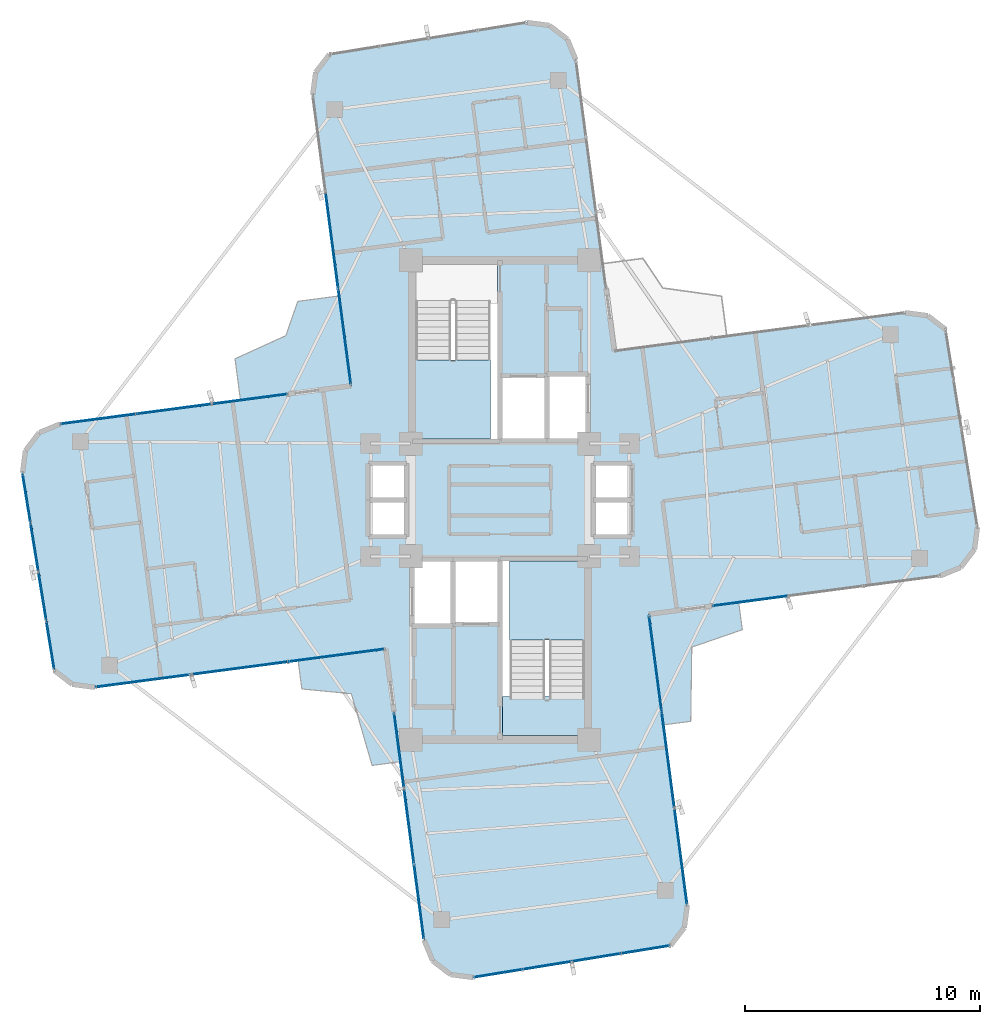
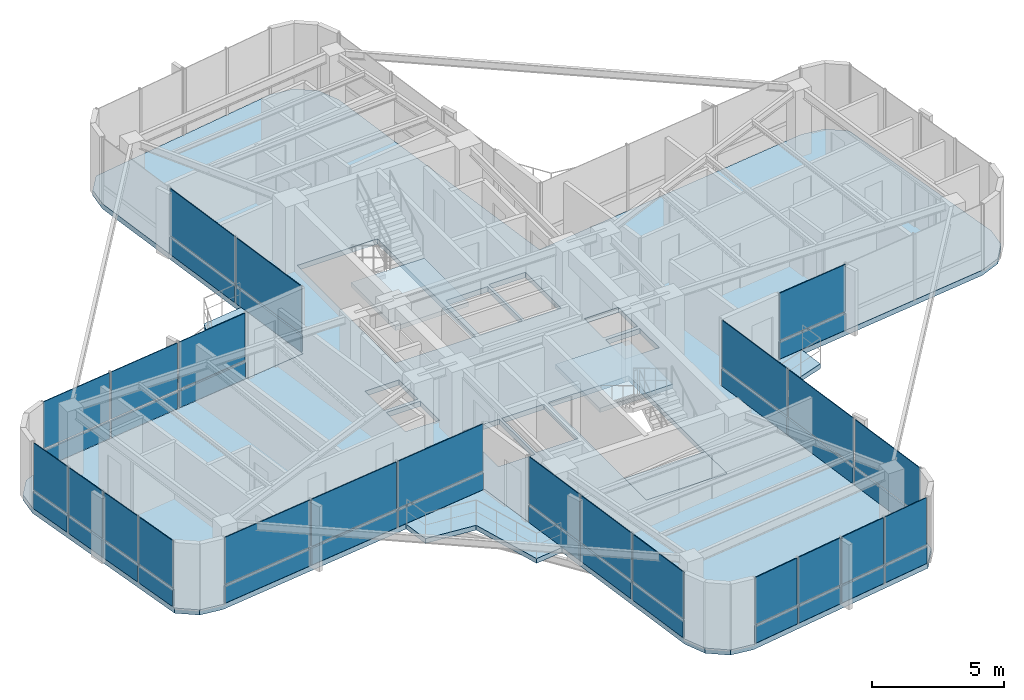
# One storey, part 16 of 21: 46 plates, 7 slabs, 10 elements without a shape of their own.
"""IFC4 building model written with IfcOpenShell, lengths in metres."""

from ifc_helpers import new_model, si_unit, direction, frame, origin, origin_2d, place, context, subcontext, project, spatial, polyline, rectangle, outline, extrude, source, transform, mapped, material, layer, layer_set, type_object, element, aggregate, save


model = new_model("IFC4")

# Units and contexts
model_context = context("Model", 3, precision=1e-05, world=origin(), true_north=direction((0.0, 1.0)))
body_context = subcontext(model_context, "Body", "Model", "MODEL_VIEW")
ifc_project = project(units=[si_unit("LENGTHUNIT", "METRE"), si_unit("AREAUNIT", "SQUARE_METRE"), si_unit("VOLUMEUNIT", "CUBIC_METRE"), si_unit("PLANEANGLEUNIT", "RADIAN"), si_unit("MASSUNIT", "GRAM", prefix="KILO")], contexts=[model_context])

# Site, building, storey
site_placement = place(None, origin())
site = spatial("IfcSite", under=ifc_project, at=site_placement, CompositionType="ELEMENT")
building_placement = place(site_placement, origin())
building = spatial("IfcBuilding", under=site, at=building_placement, Name="Sahyath Konkavel Grand Hotel", CompositionType="ELEMENT")
storey_placement = place(building_placement, frame((0.0, 0.0, 219.89990234375)))
storey = spatial("IfcBuildingStorey", under=building, at=storey_placement, Name="L61", CompositionType="ELEMENT", Elevation=219.89990234375)

# Slabs
ifc_material_1 = material(Name="Concrete C40/50", Category="concrete")
ifc_layer_1 = layer(ifc_material_1, 0.239990234375)
ifc_layer_set_1 = layer_set([ifc_layer_1], Name="Concrete C40/50")
slab_type_1 = type_object("IfcSlabType", Name="SLB-240", PredefinedType="FLOOR", material=ifc_layer_set_1)
slab_1_placement = place(storey_placement, frame((0.0, 0.0, -0.239990234375)))
element("IfcSlab", 1, at=slab_1_placement, inside=storey, type_object=slab_type_1, Name="L61 Structural Floor Slab", PredefinedType="FLOOR", context=body_context, shape_type="SweptSolid", body=[
    extrude(outline(polyline([(6.334716796875, -4.860595703125), (18.71875, -3.230224609375), (19.603515625, -2.864013671875), (20.1865234375, -2.10400390625), (20.3115234375, -1.15478515625), (18.9541015625, 7.257080078125), (18.1943359375, 7.840087890625), (17.244873046875, 7.965087890625), (4.860595703125, 6.334716796875), (3.230224609375, 18.71875), (2.864013671875, 19.603515625), (2.10400390625, 20.1865234375), (1.15478515625, 20.3115234375), (-7.257080078125, 18.9541015625), (-7.840087890625, 18.1943359375), (-7.965087890625, 17.244873046875), (-6.334716796875, 4.860595703125), (-18.71875, 3.230224609375), (-19.603515625, 2.864013671875), (-20.1865234375, 2.10400390625), (-20.3115234375, 1.15478515625), (-18.9541015625, -7.257080078125), (-18.1943359375, -7.840087890625), (-17.244873046875, -7.965087890625), (-4.860595703125, -6.334716796875), (-3.230224609375, -18.71875), (-2.864013671875, -19.603515625), (-2.10400390625, -20.1865234375), (-1.15478515625, -20.3115234375), (7.257080078125, -18.9541015625), (7.840087890625, -18.1943359375), (7.965087890625, -17.244873046875), (6.334716796875, -4.860595703125)]), holes=[polyline([(-3.6201171875, 2.580078125), (-0.10009765625, 2.580078125), (-0.10009765625, 10.02001953125), (-3.6201171875, 10.02001953125), (-3.6201171875, 2.580078125)]), polyline([(0.10009765625, -10.02001953125), (3.6201171875, -10.02001953125), (3.6201171875, -2.580078125), (0.10009765625, -2.580078125), (0.10009765625, -10.02001953125)]), polyline([(0.10009765625, 2.60009765625), (1.949951171875, 2.60009765625), (1.949951171875, 5.199951171875), (0.10009765625, 5.199951171875), (0.10009765625, 2.60009765625)]), polyline([(-1.949951171875, -5.199951171875), (-0.10009765625, -5.199951171875), (-0.10009765625, -2.60009765625), (-1.949951171875, -2.60009765625), (-1.949951171875, -5.199951171875)]), polyline([(2.050048828125, 2.60009765625), (3.64990234375, 2.60009765625), (3.64990234375, 5.300048828125), (2.050048828125, 5.300048828125), (2.050048828125, 2.60009765625)]), polyline([(-3.64990234375, -5.300048828125), (-2.050048828125, -5.300048828125), (-2.050048828125, -2.60009765625), (-3.64990234375, -2.60009765625), (-3.64990234375, -5.300048828125)]), polyline([(4.050048828125, 0.080078125), (5.550048828125, 0.080078125), (5.550048828125, 1.5400390625), (4.050048828125, 1.5400390625), (4.050048828125, 0.080078125)]), polyline([(4.050048828125, -1.5400390625), (5.550048828125, -1.5400390625), (5.550048828125, -0.080078125), (4.050048828125, -0.080078125), (4.050048828125, -1.5400390625)]), polyline([(-5.550048828125, 0.080078125), (-4.050048828125, 0.080078125), (-4.050048828125, 1.5400390625), (-5.550048828125, 1.5400390625), (-5.550048828125, 0.080078125)]), polyline([(-5.550048828125, -1.5400390625), (-4.050048828125, -1.5400390625), (-4.050048828125, -0.080078125), (-5.550048828125, -0.080078125), (-5.550048828125, -1.5400390625)])]), origin(), (0.0, 0.0, 1.0), 0.239990234375),
])
ifc_layer_2 = layer(ifc_material_1, 0.219970703125)
ifc_layer_set_2 = layer_set([ifc_layer_2], Name="Concrete C40/50")
slab_type_2 = type_object("IfcSlabType", Name="SLB-BALCONY-220", PredefinedType="FLOOR", material=ifc_layer_set_2)
slab_2_placement = place(storey_placement, frame((0.0, 0.0, -0.219970703125)))
element("IfcSlab", 2, at=slab_2_placement, inside=storey, type_object=slab_type_2, Name="L61 Winter-Garden Balcony NW", PredefinedType="FLOOR", context=body_context, shape_type="SweptSolid", body=[
    extrude(outline(polyline([(-6.334716796875, 4.860595703125), (-6.837646484375, 8.681884765625), (-8.603759765625, 8.44921875), (-9.1103515625, 6.99072265625), (-11.2724609375, 6.00732421875), (-11.0400390625, 4.2412109375), (-6.334716796875, 4.860595703125)])), origin(), (0.0, 0.0, 1.0), 0.219970703125),
])
slab_3_placement = place(storey_placement, frame((0.0, 0.0, -0.219970703125)))
element("IfcSlab", 3, at=slab_3_placement, inside=storey, type_object=slab_type_2, Name="L61 Winter-Garden Balcony SW", PredefinedType="FLOOR", context=body_context, shape_type="SweptSolid", body=[
    extrude(outline(polyline([(-4.860595703125, -6.334716796875), (-8.589599609375, -6.82568359375), (-8.429931640625, -8.038330078125), (-6.323486328125, -8.240966796875), (-5.44189453125, -11.2919921875), (-4.22900390625, -11.13232421875), (-4.860595703125, -6.334716796875)])), origin(), (0.0, 0.0, 1.0), 0.219970703125),
])
slab_4_placement = place(storey_placement, frame((0.0, 0.0, -0.219970703125)))
element("IfcSlab", 4, at=slab_4_placement, inside=storey, type_object=slab_type_2, Name="L61 Winter-Garden Balcony SE", PredefinedType="FLOOR", context=body_context, shape_type="SweptSolid", body=[
    extrude(outline(polyline([(6.334716796875, -4.860595703125), (6.9541015625, -9.566162109375), (8.11474609375, -9.413330078125), (8.158935546875, -6.260498046875), (10.30859375, -5.518310546875), (10.15576171875, -4.357666015625), (6.334716796875, -4.860595703125)])), origin(), (0.0, 0.0, 1.0), 0.219970703125),
])

# Stair, slab
stair_type = type_object("IfcStairType", Name="STR-ST16-335", PredefinedType="HALF_TURN_STAIR", material=ifc_material_1)
stair_1_placement = place(storey_placement, origin())
stair_1 = element("IfcStair", 5, at=stair_1_placement, inside=storey, type_object=stair_type, Name="L61 North Core Smokeproof Exit Stair ST-1", PredefinedType="HALF_TURN_STAIR")
ifc_layer_3 = layer(ifc_material_1, 0.199951171875)
ifc_layer_set_3 = layer_set([ifc_layer_3], Name="Concrete C40/50")
slab_type_3 = type_object("IfcSlabType", Name="SLB-STAIR-LND", PredefinedType="LANDING", material=ifc_layer_set_3)
slab_5_placement = place(storey_placement, frame((0.0, 0.0, 1.47509765625)))
slab_5 = element("IfcSlab", 6, at=slab_5_placement, type_object=slab_type_3, Name="ST-1 landing 1", PredefinedType="LANDING", context=body_context, shape_type="SweptSolid", body=[
    extrude(outline(polyline([(-3.60009765625, 5.9599609375), (-3.60009765625, 2.60009765625), (-0.39990234375, 2.60009765625), (-0.39990234375, 5.9599609375), (-3.60009765625, 5.9599609375)])), origin(), (0.0, 0.0, 1.0), 0.199951171875),
])
aggregate(stair_1, [slab_5])

stair_2_placement = place(storey_placement, origin())
stair_2 = element("IfcStair", 7, at=stair_2_placement, inside=storey, type_object=stair_type, Name="L61 South Core Smokeproof Exit Stair ST-2", PredefinedType="HALF_TURN_STAIR")
slab_6_placement = place(storey_placement, frame((0.0, 0.0, 1.47509765625)))
slab_6 = element("IfcSlab", 8, at=slab_6_placement, type_object=slab_type_3, Name="ST-2 landing 1", PredefinedType="LANDING", context=body_context, shape_type="SweptSolid", body=[
    extrude(outline(polyline([(3.60009765625, -5.9599609375), (3.60009765625, -2.60009765625), (0.39990234375, -2.60009765625), (0.39990234375, -5.9599609375), (3.60009765625, -5.9599609375)])), origin(), (0.0, 0.0, 1.0), 0.199951171875),
])
aggregate(stair_2, [slab_6])

# Slab
slab_7_placement = place(storey_placement, frame((0.0, 0.0, -0.199951171875)))
element("IfcSlab", 9, at=slab_7_placement, inside=storey, type_object=slab_type_3, Name="L61 Stair ST-2 Floor Landing Slab", PredefinedType="LANDING", context=body_context, shape_type="SweptSolid", body=[
    extrude(outline(polyline([(0.10009765625, -10.02001953125), (3.6201171875, -10.02001953125), (3.6201171875, -8.35009765625), (0.10009765625, -8.35009765625), (0.10009765625, -10.02001953125)])), origin(), (0.0, 0.0, 1.0), 0.199951171875),
])

# Curtain wall, plate
ifc_material_2 = material(Name="Anodised Bronze Aluminium & Low-E Glazing", Category="aluminium")
curtain_wall_type = type_object("IfcCurtainWallType", Name="CW-ZONE4", PredefinedType="NOTDEFINED", material=ifc_material_2)
curtain_wall_1_placement = place(storey_placement, origin())
curtain_wall_1 = element("IfcCurtainWall", 10, at=curtain_wall_1_placement, inside=storey, type_object=curtain_wall_type, Name="L61 Unitised Curtain Wall F0", PredefinedType="NOTDEFINED")
ifc_material_3 = material(Name="Warm Buff Sandstone Cladding", Category="masonry")
ifc_layer_4 = layer(ifc_material_3, 0.074951171875)
ifc_layer_set_4 = layer_set([ifc_layer_4], Name="Warm Buff Sandstone Cladding")
plate_type_1 = type_object("IfcPlateType", Name="PNL-SPANDREL-STONE", PredefinedType="SHEET", material=ifc_layer_set_4)
shared_shape_1 = source(origin(), body_context, "Body", "SweptSolid", [
    extrude(rectangle(XDim=3.156982421875, YDim=0.074951171875, at=origin_2d()), origin(), (0.0, 0.0, 1.0), 0.77001953125),
])
plate_1_placement = place(storey_placement, frame((10.656005859375, -4.2919921875, 0.0400390625), z_axis=(0.0, 0.0, 1.0), x_axis=(0.991444861374, 0.13052619222, 0.0)))
plate_1 = element("IfcPlate", 11, at=plate_1_placement, type_object=plate_type_1, Name="L61 Sandstone Relief Spandrel Panel F0-0", PredefinedType="SHEET", context=body_context, shape_type="MappedRepresentation", body=[
    mapped(shared_shape_1, transform((0.0, 0.0, 0.0), scale=1.0)),
])

# Curtain wall, plates
curtain_wall_2_placement = place(storey_placement, origin())
curtain_wall_2 = element("IfcCurtainWall", 12, at=curtain_wall_2_placement, inside=storey, type_object=curtain_wall_type, Name="L61 Unitised Curtain Wall F16", PredefinedType="NOTDEFINED")
plate_2_placement = place(storey_placement, frame((-10.656005859375, 4.2919921875, 0.0400390625), z_axis=(0.0, 0.0, 1.0), x_axis=(-0.991444861374, -0.13052619222, 0.0)))
plate_2 = element("IfcPlate", 13, at=plate_2_placement, type_object=plate_type_1, Name="L61 Sandstone Relief Spandrel Panel F16-0", PredefinedType="SHEET", context=body_context, shape_type="MappedRepresentation", body=[
    mapped(shared_shape_1, transform((0.0, 0.0, 0.0), scale=1.0)),
])
plate_3_placement = place(storey_placement, frame((-13.864990234375, 3.869384765625, 0.0400390625), z_axis=(0.0, 0.0, 1.0), x_axis=(-0.991444861374, -0.13052619222, 0.0)))
plate_3 = element("IfcPlate", 14, at=plate_3_placement, type_object=plate_type_1, Name="L61 Sandstone Relief Spandrel Panel F16-1", PredefinedType="SHEET", context=body_context, shape_type="MappedRepresentation", body=[
    mapped(shared_shape_1, transform((0.0, 0.0, 0.0), scale=1.0)),
])
plate_4_placement = place(storey_placement, frame((-17.074462890625, 3.44677734375, 0.0400390625), z_axis=(0.0, 0.0, 1.0), x_axis=(-0.991444861374, -0.13052619222, 0.0)))
plate_4 = element("IfcPlate", 15, at=plate_4_placement, type_object=plate_type_1, Name="L61 Sandstone Relief Spandrel Panel F16-2", PredefinedType="SHEET", context=body_context, shape_type="MappedRepresentation", body=[
    mapped(shared_shape_1, transform((0.0, 0.0, 0.0), scale=1.0)),
])

curtain_wall_3_placement = place(storey_placement, origin())
curtain_wall_3 = element("IfcCurtainWall", 16, at=curtain_wall_3_placement, inside=storey, type_object=curtain_wall_type, Name="L61 Unitised Curtain Wall F24", PredefinedType="NOTDEFINED")
plate_5_placement = place(storey_placement, frame((-4.2919921875, -10.656005859375, 0.0400390625), z_axis=(0.0, 0.0, 1.0), x_axis=(0.13052619222, -0.991444861374, 0.0)))
plate_5 = element("IfcPlate", 17, at=plate_5_placement, type_object=plate_type_1, Name="L61 Sandstone Relief Spandrel Panel F24-0", PredefinedType="SHEET", context=body_context, shape_type="MappedRepresentation", body=[
    mapped(shared_shape_1, transform((0.0, 0.0, 0.0), scale=1.0)),
])
plate_6_placement = place(storey_placement, frame((-3.869384765625, -13.864990234375, 0.0400390625), z_axis=(0.0, 0.0, 1.0), x_axis=(0.13052619222, -0.991444861374, 0.0)))
plate_6 = element("IfcPlate", 18, at=plate_6_placement, type_object=plate_type_1, Name="L61 Sandstone Relief Spandrel Panel F24-1", PredefinedType="SHEET", context=body_context, shape_type="MappedRepresentation", body=[
    mapped(shared_shape_1, transform((0.0, 0.0, 0.0), scale=1.0)),
])
plate_7_placement = place(storey_placement, frame((-3.44677734375, -17.074462890625, 0.0400390625), z_axis=(0.0, 0.0, 1.0), x_axis=(0.13052619222, -0.991444861374, 0.0)))
plate_7 = element("IfcPlate", 19, at=plate_7_placement, type_object=plate_type_1, Name="L61 Sandstone Relief Spandrel Panel F24-2", PredefinedType="SHEET", context=body_context, shape_type="MappedRepresentation", body=[
    mapped(shared_shape_1, transform((0.0, 0.0, 0.0), scale=1.0)),
])

# Plate
ifc_material_4 = material(Name="Low-E Solar Control Double Glazing", Category="glass")
ifc_layer_5 = layer(ifc_material_4, 0.035888671875)
ifc_layer_set_5 = layer_set([ifc_layer_5], Name="Low-E Solar Control Double Glazing")
plate_type_2 = type_object("IfcPlateType", Name="PNL-VISION-LOWE", PredefinedType="CURTAIN_PANEL", material=ifc_layer_set_5)
shared_shape_2 = source(origin(), body_context, "Body", "SweptSolid", [
    extrude(rectangle(XDim=3.156982421875, YDim=0.035888671875, at=origin_2d()), origin(), (0.0, 0.0, 1.0), 2.179931640625),
])
plate_8_placement = place(storey_placement, frame((10.656005859375, -4.2919921875, 0.89013671875), z_axis=(0.0, 0.0, 1.0), x_axis=(0.991444861374, 0.13052619222, 0.0)))
plate_8 = element("IfcPlate", 20, at=plate_8_placement, type_object=plate_type_2, Name="L61 Low-E Vision Glazing Panel F0-0", PredefinedType="CURTAIN_PANEL", context=body_context, shape_type="MappedRepresentation", body=[
    mapped(shared_shape_2, transform((0.0, 0.0, 0.0), scale=1.0)),
])

aggregate(curtain_wall_1, [plate_1, plate_8])

plate_9_placement = place(storey_placement, frame((-10.656005859375, 4.2919921875, 0.89013671875), z_axis=(0.0, 0.0, 1.0), x_axis=(-0.991444861374, -0.13052619222, 0.0)))
plate_9 = element("IfcPlate", 21, at=plate_9_placement, type_object=plate_type_2, Name="L61 Low-E Vision Glazing Panel F16-0", PredefinedType="CURTAIN_PANEL", context=body_context, shape_type="MappedRepresentation", body=[
    mapped(shared_shape_2, transform((0.0, 0.0, 0.0), scale=1.0)),
])

plate_10_placement = place(storey_placement, frame((-13.864990234375, 3.869384765625, 0.89013671875), z_axis=(0.0, 0.0, 1.0), x_axis=(-0.991444861374, -0.13052619222, 0.0)))
plate_10 = element("IfcPlate", 22, at=plate_10_placement, type_object=plate_type_2, Name="L61 Low-E Vision Glazing Panel F16-1", PredefinedType="CURTAIN_PANEL", context=body_context, shape_type="MappedRepresentation", body=[
    mapped(shared_shape_2, transform((0.0, 0.0, 0.0), scale=1.0)),
])

plate_11_placement = place(storey_placement, frame((-17.074462890625, 3.44677734375, 0.89013671875), z_axis=(0.0, 0.0, 1.0), x_axis=(-0.991444861374, -0.13052619222, 0.0)))
plate_11 = element("IfcPlate", 23, at=plate_11_placement, type_object=plate_type_2, Name="L61 Low-E Vision Glazing Panel F16-2", PredefinedType="CURTAIN_PANEL", context=body_context, shape_type="MappedRepresentation", body=[
    mapped(shared_shape_2, transform((0.0, 0.0, 0.0), scale=1.0)),
])

aggregate(curtain_wall_2, [plate_2, plate_9, plate_3, plate_10, plate_4, plate_11])

plate_12_placement = place(storey_placement, frame((-4.2919921875, -10.656005859375, 0.89013671875), z_axis=(0.0, 0.0, 1.0), x_axis=(0.13052619222, -0.991444861374, 0.0)))
plate_12 = element("IfcPlate", 24, at=plate_12_placement, type_object=plate_type_2, Name="L61 Low-E Vision Glazing Panel F24-0", PredefinedType="CURTAIN_PANEL", context=body_context, shape_type="MappedRepresentation", body=[
    mapped(shared_shape_2, transform((0.0, 0.0, 0.0), scale=1.0)),
])

plate_13_placement = place(storey_placement, frame((-3.869384765625, -13.864990234375, 0.89013671875), z_axis=(0.0, 0.0, 1.0), x_axis=(0.13052619222, -0.991444861374, 0.0)))
plate_13 = element("IfcPlate", 25, at=plate_13_placement, type_object=plate_type_2, Name="L61 Low-E Vision Glazing Panel F24-1", PredefinedType="CURTAIN_PANEL", context=body_context, shape_type="MappedRepresentation", body=[
    mapped(shared_shape_2, transform((0.0, 0.0, 0.0), scale=1.0)),
])

plate_14_placement = place(storey_placement, frame((-3.44677734375, -17.074462890625, 0.89013671875), z_axis=(0.0, 0.0, 1.0), x_axis=(0.13052619222, -0.991444861374, 0.0)))
plate_14 = element("IfcPlate", 26, at=plate_14_placement, type_object=plate_type_2, Name="L61 Low-E Vision Glazing Panel F24-2", PredefinedType="CURTAIN_PANEL", context=body_context, shape_type="MappedRepresentation", body=[
    mapped(shared_shape_2, transform((0.0, 0.0, 0.0), scale=1.0)),
])

aggregate(curtain_wall_3, [plate_5, plate_12, plate_6, plate_13, plate_7, plate_14])

# Curtain wall, plates
curtain_wall_4_placement = place(storey_placement, origin())
curtain_wall_4 = element("IfcCurtainWall", 27, at=curtain_wall_4_placement, inside=storey, type_object=curtain_wall_type, Name="L61 Unitised Curtain Wall F20", PredefinedType="NOTDEFINED")
shared_shape_3 = source(origin(), body_context, "Body", "SweptSolid", [
    extrude(rectangle(XDim=2.0302734375, YDim=0.074951171875, at=origin_2d()), origin(), (0.0, 0.0, 1.0), 0.77001953125),
])
plate_15_placement = place(storey_placement, frame((-20.13720703125, 0.073486328125, 0.0400390625), z_axis=(0.0, 0.0, 1.0), x_axis=(0.159312611531, -0.987228186291, 0.0)))
plate_15 = element("IfcPlate", 28, at=plate_15_placement, type_object=plate_type_1, Name="L61 Sandstone Relief Spandrel Panel F20-0", PredefinedType="SHEET", context=body_context, shape_type="MappedRepresentation", body=[
    mapped(shared_shape_3, transform((0.0, 0.0, 0.0), scale=1.0)),
])
plate_16_placement = place(storey_placement, frame((-19.80078125, -2.009521484375, 0.0400390625), z_axis=(0.0, 0.0, 1.0), x_axis=(0.159312611531, -0.987228186291, 0.0)))
plate_16 = element("IfcPlate", 29, at=plate_16_placement, type_object=plate_type_1, Name="L61 Sandstone Relief Spandrel Panel F20-1", PredefinedType="SHEET", context=body_context, shape_type="MappedRepresentation", body=[
    mapped(shared_shape_3, transform((0.0, 0.0, 0.0), scale=1.0)),
])
plate_17_placement = place(storey_placement, frame((-19.464599609375, -4.0927734375, 0.0400390625), z_axis=(0.0, 0.0, 1.0), x_axis=(0.159312611531, -0.987228186291, 0.0)))
plate_17 = element("IfcPlate", 30, at=plate_17_placement, type_object=plate_type_1, Name="L61 Sandstone Relief Spandrel Panel F20-2", PredefinedType="SHEET", context=body_context, shape_type="MappedRepresentation", body=[
    mapped(shared_shape_3, transform((0.0, 0.0, 0.0), scale=1.0)),
])
plate_18_placement = place(storey_placement, frame((-19.128662109375, -6.176025390625, 0.0400390625), z_axis=(0.0, 0.0, 1.0), x_axis=(0.159312611531, -0.987228186291, 0.0)))
plate_18 = element("IfcPlate", 31, at=plate_18_placement, type_object=plate_type_1, Name="L61 Sandstone Relief Spandrel Panel F20-3", PredefinedType="SHEET", context=body_context, shape_type="MappedRepresentation", body=[
    mapped(shared_shape_3, transform((0.0, 0.0, 0.0), scale=1.0)),
])

curtain_wall_5_placement = place(storey_placement, origin())
curtain_wall_5 = element("IfcCurtainWall", 32, at=curtain_wall_5_placement, inside=storey, type_object=curtain_wall_type, Name="L61 Unitised Curtain Wall F28", PredefinedType="NOTDEFINED")
plate_19_placement = place(storey_placement, frame((-0.073486328125, -20.13720703125, 0.0400390625), z_axis=(0.0, 0.0, 1.0), x_axis=(0.987228186291, 0.159312611531, 0.0)))
plate_19 = element("IfcPlate", 33, at=plate_19_placement, type_object=plate_type_1, Name="L61 Sandstone Relief Spandrel Panel F28-0", PredefinedType="SHEET", context=body_context, shape_type="MappedRepresentation", body=[
    mapped(shared_shape_3, transform((0.0, 0.0, 0.0), scale=1.0)),
])
plate_20_placement = place(storey_placement, frame((2.009521484375, -19.80078125, 0.0400390625), z_axis=(0.0, 0.0, 1.0), x_axis=(0.987228186291, 0.159312611531, 0.0)))
plate_20 = element("IfcPlate", 34, at=plate_20_placement, type_object=plate_type_1, Name="L61 Sandstone Relief Spandrel Panel F28-1", PredefinedType="SHEET", context=body_context, shape_type="MappedRepresentation", body=[
    mapped(shared_shape_3, transform((0.0, 0.0, 0.0), scale=1.0)),
])
plate_21_placement = place(storey_placement, frame((4.0927734375, -19.464599609375, 0.0400390625), z_axis=(0.0, 0.0, 1.0), x_axis=(0.987228186291, 0.159312611531, 0.0)))
plate_21 = element("IfcPlate", 35, at=plate_21_placement, type_object=plate_type_1, Name="L61 Sandstone Relief Spandrel Panel F28-2", PredefinedType="SHEET", context=body_context, shape_type="MappedRepresentation", body=[
    mapped(shared_shape_3, transform((0.0, 0.0, 0.0), scale=1.0)),
])
plate_22_placement = place(storey_placement, frame((6.176025390625, -19.128662109375, 0.0400390625), z_axis=(0.0, 0.0, 1.0), x_axis=(0.987228186291, 0.159312611531, 0.0)))
plate_22 = element("IfcPlate", 36, at=plate_22_placement, type_object=plate_type_1, Name="L61 Sandstone Relief Spandrel Panel F28-3", PredefinedType="SHEET", context=body_context, shape_type="MappedRepresentation", body=[
    mapped(shared_shape_3, transform((0.0, 0.0, 0.0), scale=1.0)),
])

# Plate
shared_shape_4 = source(origin(), body_context, "Body", "SweptSolid", [
    extrude(rectangle(XDim=2.0302734375, YDim=0.035888671875, at=origin_2d()), origin(), (0.0, 0.0, 1.0), 2.179931640625),
])
plate_23_placement = place(storey_placement, frame((-20.13720703125, 0.073486328125, 0.89013671875), z_axis=(0.0, 0.0, 1.0), x_axis=(0.159312611531, -0.987228186291, 0.0)))
plate_23 = element("IfcPlate", 37, at=plate_23_placement, type_object=plate_type_2, Name="L61 Low-E Vision Glazing Panel F20-0", PredefinedType="CURTAIN_PANEL", context=body_context, shape_type="MappedRepresentation", body=[
    mapped(shared_shape_4, transform((0.0, 0.0, 0.0), scale=1.0)),
])

plate_24_placement = place(storey_placement, frame((-19.80078125, -2.009521484375, 0.89013671875), z_axis=(0.0, 0.0, 1.0), x_axis=(0.159312611531, -0.987228186291, 0.0)))
plate_24 = element("IfcPlate", 38, at=plate_24_placement, type_object=plate_type_2, Name="L61 Low-E Vision Glazing Panel F20-1", PredefinedType="CURTAIN_PANEL", context=body_context, shape_type="MappedRepresentation", body=[
    mapped(shared_shape_4, transform((0.0, 0.0, 0.0), scale=1.0)),
])

plate_25_placement = place(storey_placement, frame((-19.464599609375, -4.0927734375, 0.89013671875), z_axis=(0.0, 0.0, 1.0), x_axis=(0.159312611531, -0.987228186291, 0.0)))
plate_25 = element("IfcPlate", 39, at=plate_25_placement, type_object=plate_type_2, Name="L61 Low-E Vision Glazing Panel F20-2", PredefinedType="CURTAIN_PANEL", context=body_context, shape_type="MappedRepresentation", body=[
    mapped(shared_shape_4, transform((0.0, 0.0, 0.0), scale=1.0)),
])

plate_26_placement = place(storey_placement, frame((-19.128662109375, -6.176025390625, 0.89013671875), z_axis=(0.0, 0.0, 1.0), x_axis=(0.159312611531, -0.987228186291, 0.0)))
plate_26 = element("IfcPlate", 40, at=plate_26_placement, type_object=plate_type_2, Name="L61 Low-E Vision Glazing Panel F20-3", PredefinedType="CURTAIN_PANEL", context=body_context, shape_type="MappedRepresentation", body=[
    mapped(shared_shape_4, transform((0.0, 0.0, 0.0), scale=1.0)),
])

aggregate(curtain_wall_4, [plate_15, plate_23, plate_16, plate_24, plate_17, plate_25, plate_18, plate_26])

plate_27_placement = place(storey_placement, frame((-0.073486328125, -20.13720703125, 0.89013671875), z_axis=(0.0, 0.0, 1.0), x_axis=(0.987228186291, 0.159312611531, 0.0)))
plate_27 = element("IfcPlate", 41, at=plate_27_placement, type_object=plate_type_2, Name="L61 Low-E Vision Glazing Panel F28-0", PredefinedType="CURTAIN_PANEL", context=body_context, shape_type="MappedRepresentation", body=[
    mapped(shared_shape_4, transform((0.0, 0.0, 0.0), scale=1.0)),
])

plate_28_placement = place(storey_placement, frame((2.009521484375, -19.80078125, 0.89013671875), z_axis=(0.0, 0.0, 1.0), x_axis=(0.987228186291, 0.159312611531, 0.0)))
plate_28 = element("IfcPlate", 42, at=plate_28_placement, type_object=plate_type_2, Name="L61 Low-E Vision Glazing Panel F28-1", PredefinedType="CURTAIN_PANEL", context=body_context, shape_type="MappedRepresentation", body=[
    mapped(shared_shape_4, transform((0.0, 0.0, 0.0), scale=1.0)),
])

plate_29_placement = place(storey_placement, frame((4.0927734375, -19.464599609375, 0.89013671875), z_axis=(0.0, 0.0, 1.0), x_axis=(0.987228186291, 0.159312611531, 0.0)))
plate_29 = element("IfcPlate", 43, at=plate_29_placement, type_object=plate_type_2, Name="L61 Low-E Vision Glazing Panel F28-2", PredefinedType="CURTAIN_PANEL", context=body_context, shape_type="MappedRepresentation", body=[
    mapped(shared_shape_4, transform((0.0, 0.0, 0.0), scale=1.0)),
])

plate_30_placement = place(storey_placement, frame((6.176025390625, -19.128662109375, 0.89013671875), z_axis=(0.0, 0.0, 1.0), x_axis=(0.987228186291, 0.159312611531, 0.0)))
plate_30 = element("IfcPlate", 44, at=plate_30_placement, type_object=plate_type_2, Name="L61 Low-E Vision Glazing Panel F28-3", PredefinedType="CURTAIN_PANEL", context=body_context, shape_type="MappedRepresentation", body=[
    mapped(shared_shape_4, transform((0.0, 0.0, 0.0), scale=1.0)),
])

aggregate(curtain_wall_5, [plate_19, plate_27, plate_20, plate_28, plate_21, plate_29, plate_22, plate_30])

# Curtain wall, plates
curtain_wall_6_placement = place(storey_placement, origin())
curtain_wall_6 = element("IfcCurtainWall", 45, at=curtain_wall_6_placement, inside=storey, type_object=curtain_wall_type, Name="L61 Unitised Curtain Wall F15", PredefinedType="NOTDEFINED")
shared_shape_5 = source(origin(), body_context, "Body", "SweptSolid", [
    extrude(rectangle(XDim=4.056884765625, YDim=0.074951171875, at=origin_2d()), origin(), (0.0, 0.0, 1.0), 0.77001953125),
])
plate_31_placement = place(storey_placement, frame((-7.14990234375, 11.052734375, 0.0400390625), z_axis=(0.0, 0.0, 1.0), x_axis=(0.13052619222, -0.991444861374, 0.0)))
plate_31 = element("IfcPlate", 46, at=plate_31_placement, type_object=plate_type_1, Name="L61 Sandstone Relief Spandrel Panel F15-1", PredefinedType="SHEET", context=body_context, shape_type="MappedRepresentation", body=[
    mapped(shared_shape_5, transform((0.0, 0.0, 0.0), scale=1.0)),
])
plate_32_placement = place(storey_placement, frame((-6.60986328125, 6.951171875, 0.0400390625), z_axis=(0.0, 0.0, 1.0), x_axis=(0.13052619222, -0.991444861374, 0.0)))
plate_32 = element("IfcPlate", 47, at=plate_32_placement, type_object=plate_type_1, Name="L61 Sandstone Relief Spandrel Panel F15-2", PredefinedType="SHEET", context=body_context, shape_type="MappedRepresentation", body=[
    mapped(shared_shape_5, transform((0.0, 0.0, 0.0), scale=1.0)),
])

curtain_wall_7_placement = place(storey_placement, origin())
curtain_wall_7 = element("IfcCurtainWall", 48, at=curtain_wall_7_placement, inside=storey, type_object=curtain_wall_type, Name="L61 Unitised Curtain Wall F23", PredefinedType="NOTDEFINED")
plate_33_placement = place(storey_placement, frame((-15.154296875, -7.68994140625, 0.0400390625), z_axis=(0.0, 0.0, 1.0), x_axis=(0.991444861374, 0.13052619222, 0.0)))
plate_33 = element("IfcPlate", 49, at=plate_33_placement, type_object=plate_type_1, Name="L61 Sandstone Relief Spandrel Panel F23-0", PredefinedType="SHEET", context=body_context, shape_type="MappedRepresentation", body=[
    mapped(shared_shape_5, transform((0.0, 0.0, 0.0), scale=1.0)),
])
plate_34_placement = place(storey_placement, frame((-11.052734375, -7.14990234375, 0.0400390625), z_axis=(0.0, 0.0, 1.0), x_axis=(0.991444861374, 0.13052619222, 0.0)))
plate_34 = element("IfcPlate", 50, at=plate_34_placement, type_object=plate_type_1, Name="L61 Sandstone Relief Spandrel Panel F23-1", PredefinedType="SHEET", context=body_context, shape_type="MappedRepresentation", body=[
    mapped(shared_shape_5, transform((0.0, 0.0, 0.0), scale=1.0)),
])
plate_35_placement = place(storey_placement, frame((-6.951171875, -6.60986328125, 0.0400390625), z_axis=(0.0, 0.0, 1.0), x_axis=(0.991444861374, 0.13052619222, 0.0)))
plate_35 = element("IfcPlate", 51, at=plate_35_placement, type_object=plate_type_1, Name="L61 Sandstone Relief Spandrel Panel F23-2", PredefinedType="SHEET", context=body_context, shape_type="MappedRepresentation", body=[
    mapped(shared_shape_5, transform((0.0, 0.0, 0.0), scale=1.0)),
])

curtain_wall_8_placement = place(storey_placement, origin())
curtain_wall_8 = element("IfcCurtainWall", 52, at=curtain_wall_8_placement, inside=storey, type_object=curtain_wall_type, Name="L61 Unitised Curtain Wall F31", PredefinedType="NOTDEFINED")
plate_36_placement = place(storey_placement, frame((7.68994140625, -15.154296875, 0.0400390625), z_axis=(0.0, 0.0, 1.0), x_axis=(-0.13052619222, 0.991444861374, 0.0)))
plate_36 = element("IfcPlate", 53, at=plate_36_placement, type_object=plate_type_1, Name="L61 Sandstone Relief Spandrel Panel F31-0", PredefinedType="SHEET", context=body_context, shape_type="MappedRepresentation", body=[
    mapped(shared_shape_5, transform((0.0, 0.0, 0.0), scale=1.0)),
])
plate_37_placement = place(storey_placement, frame((7.14990234375, -11.052734375, 0.0400390625), z_axis=(0.0, 0.0, 1.0), x_axis=(-0.13052619222, 0.991444861374, 0.0)))
plate_37 = element("IfcPlate", 54, at=plate_37_placement, type_object=plate_type_1, Name="L61 Sandstone Relief Spandrel Panel F31-1", PredefinedType="SHEET", context=body_context, shape_type="MappedRepresentation", body=[
    mapped(shared_shape_5, transform((0.0, 0.0, 0.0), scale=1.0)),
])
plate_38_placement = place(storey_placement, frame((6.60986328125, -6.951171875, 0.0400390625), z_axis=(0.0, 0.0, 1.0), x_axis=(-0.13052619222, 0.991444861374, 0.0)))
plate_38 = element("IfcPlate", 55, at=plate_38_placement, type_object=plate_type_1, Name="L61 Sandstone Relief Spandrel Panel F31-2", PredefinedType="SHEET", context=body_context, shape_type="MappedRepresentation", body=[
    mapped(shared_shape_5, transform((0.0, 0.0, 0.0), scale=1.0)),
])

# Plate
shared_shape_6 = source(origin(), body_context, "Body", "SweptSolid", [
    extrude(rectangle(XDim=4.056884765625, YDim=0.035888671875, at=origin_2d()), origin(), (0.0, 0.0, 1.0), 2.179931640625),
])
plate_39_placement = place(storey_placement, frame((-7.14990234375, 11.052734375, 0.89013671875), z_axis=(0.0, 0.0, 1.0), x_axis=(0.13052619222, -0.991444861374, 0.0)))
plate_39 = element("IfcPlate", 56, at=plate_39_placement, type_object=plate_type_2, Name="L61 Low-E Vision Glazing Panel F15-1", PredefinedType="CURTAIN_PANEL", context=body_context, shape_type="MappedRepresentation", body=[
    mapped(shared_shape_6, transform((0.0, 0.0, 0.0), scale=1.0)),
])

plate_40_placement = place(storey_placement, frame((-6.60986328125, 6.951171875, 0.89013671875), z_axis=(0.0, 0.0, 1.0), x_axis=(0.13052619222, -0.991444861374, 0.0)))
plate_40 = element("IfcPlate", 57, at=plate_40_placement, type_object=plate_type_2, Name="L61 Low-E Vision Glazing Panel F15-2", PredefinedType="CURTAIN_PANEL", context=body_context, shape_type="MappedRepresentation", body=[
    mapped(shared_shape_6, transform((0.0, 0.0, 0.0), scale=1.0)),
])

aggregate(curtain_wall_6, [plate_31, plate_39, plate_32, plate_40])

plate_41_placement = place(storey_placement, frame((-15.154296875, -7.68994140625, 0.89013671875), z_axis=(0.0, 0.0, 1.0), x_axis=(0.991444861374, 0.13052619222, 0.0)))
plate_41 = element("IfcPlate", 58, at=plate_41_placement, type_object=plate_type_2, Name="L61 Low-E Vision Glazing Panel F23-0", PredefinedType="CURTAIN_PANEL", context=body_context, shape_type="MappedRepresentation", body=[
    mapped(shared_shape_6, transform((0.0, 0.0, 0.0), scale=1.0)),
])

plate_42_placement = place(storey_placement, frame((-11.052734375, -7.14990234375, 0.89013671875), z_axis=(0.0, 0.0, 1.0), x_axis=(0.991444861374, 0.13052619222, 0.0)))
plate_42 = element("IfcPlate", 59, at=plate_42_placement, type_object=plate_type_2, Name="L61 Low-E Vision Glazing Panel F23-1", PredefinedType="CURTAIN_PANEL", context=body_context, shape_type="MappedRepresentation", body=[
    mapped(shared_shape_6, transform((0.0, 0.0, 0.0), scale=1.0)),
])

plate_43_placement = place(storey_placement, frame((-6.951171875, -6.60986328125, 0.89013671875), z_axis=(0.0, 0.0, 1.0), x_axis=(0.991444861374, 0.13052619222, 0.0)))
plate_43 = element("IfcPlate", 60, at=plate_43_placement, type_object=plate_type_2, Name="L61 Low-E Vision Glazing Panel F23-2", PredefinedType="CURTAIN_PANEL", context=body_context, shape_type="MappedRepresentation", body=[
    mapped(shared_shape_6, transform((0.0, 0.0, 0.0), scale=1.0)),
])

aggregate(curtain_wall_7, [plate_33, plate_41, plate_34, plate_42, plate_35, plate_43])

plate_44_placement = place(storey_placement, frame((7.68994140625, -15.154296875, 0.89013671875), z_axis=(0.0, 0.0, 1.0), x_axis=(-0.13052619222, 0.991444861374, 0.0)))
plate_44 = element("IfcPlate", 61, at=plate_44_placement, type_object=plate_type_2, Name="L61 Low-E Vision Glazing Panel F31-0", PredefinedType="CURTAIN_PANEL", context=body_context, shape_type="MappedRepresentation", body=[
    mapped(shared_shape_6, transform((0.0, 0.0, 0.0), scale=1.0)),
])

plate_45_placement = place(storey_placement, frame((7.14990234375, -11.052734375, 0.89013671875), z_axis=(0.0, 0.0, 1.0), x_axis=(-0.13052619222, 0.991444861374, 0.0)))
plate_45 = element("IfcPlate", 62, at=plate_45_placement, type_object=plate_type_2, Name="L61 Low-E Vision Glazing Panel F31-1", PredefinedType="CURTAIN_PANEL", context=body_context, shape_type="MappedRepresentation", body=[
    mapped(shared_shape_6, transform((0.0, 0.0, 0.0), scale=1.0)),
])

plate_46_placement = place(storey_placement, frame((6.60986328125, -6.951171875, 0.89013671875), z_axis=(0.0, 0.0, 1.0), x_axis=(-0.13052619222, 0.991444861374, 0.0)))
plate_46 = element("IfcPlate", 63, at=plate_46_placement, type_object=plate_type_2, Name="L61 Low-E Vision Glazing Panel F31-2", PredefinedType="CURTAIN_PANEL", context=body_context, shape_type="MappedRepresentation", body=[
    mapped(shared_shape_6, transform((0.0, 0.0, 0.0), scale=1.0)),
])

aggregate(curtain_wall_8, [plate_36, plate_44, plate_37, plate_45, plate_38, plate_46])

save(model, "model.ifc")
